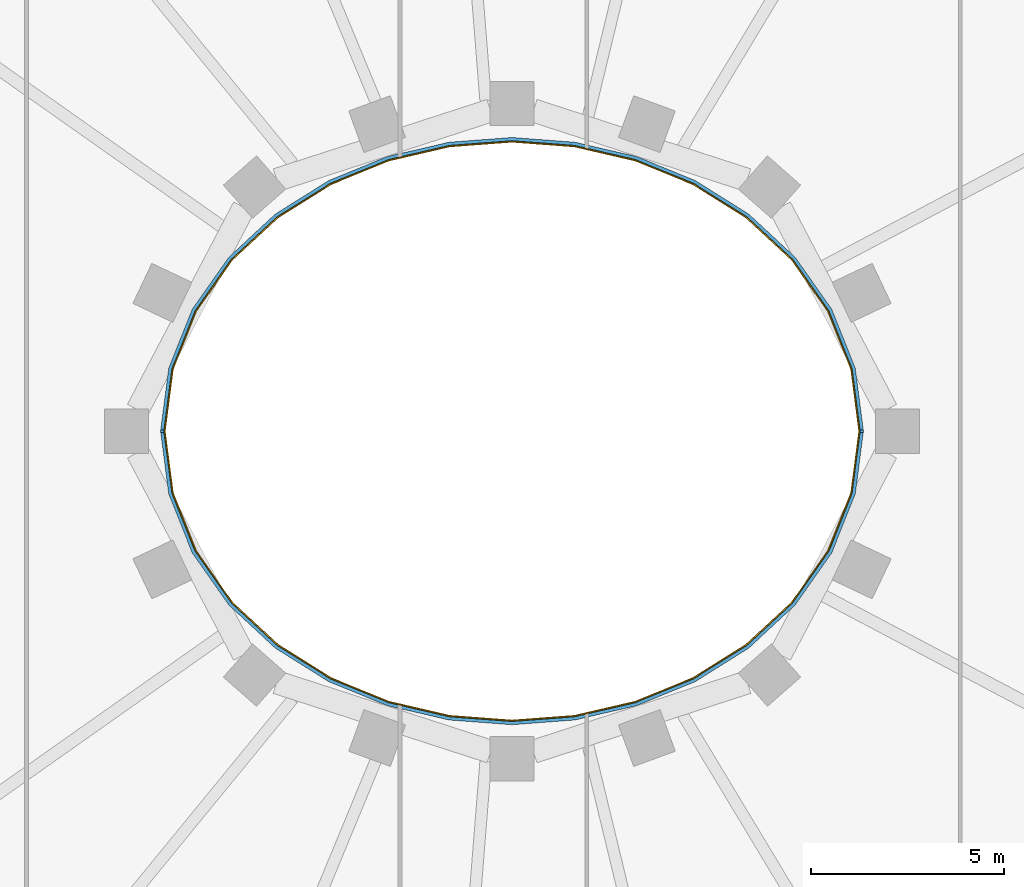
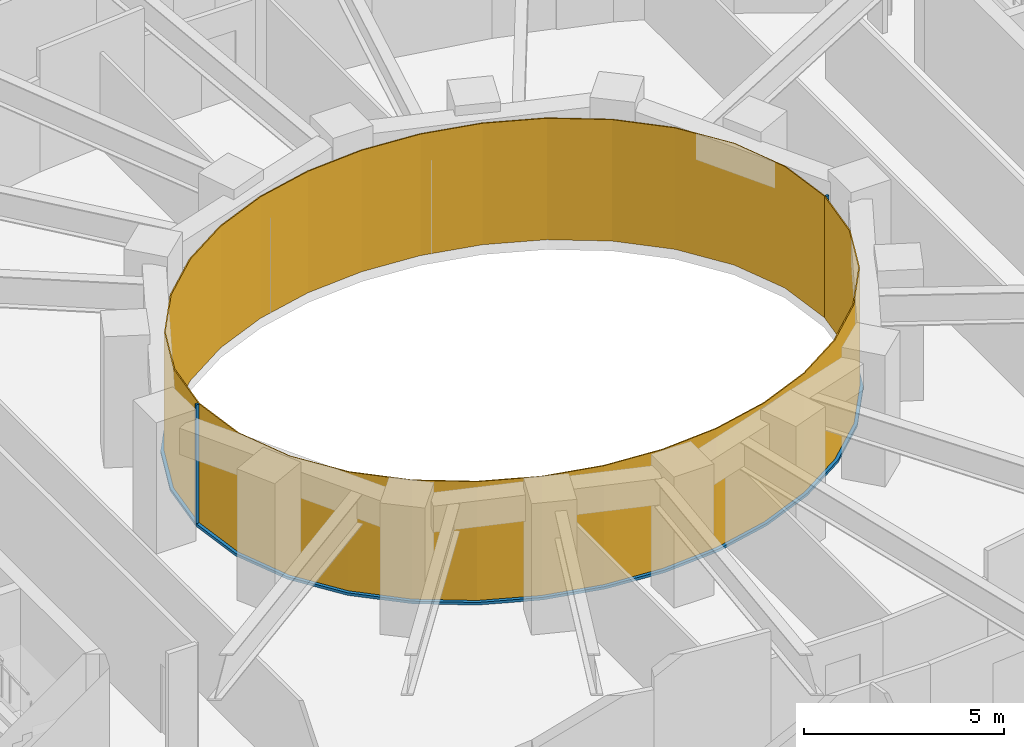
# One storey, part 11 of 16: 4 members, 2 curtain walls.
"""IFC4 building model written with IfcOpenShell, lengths in metres."""

from ifc_helpers import new_model, si_unit, direction, frame, origin, origin_2d, place, context, subcontext, project, spatial, polyline, rectangle, outline, extrude, material, layer, layer_set, material_profile, profile_set, type_object, element, aggregate, save


model = new_model("IFC4")

# Units and contexts
model_context = context("Model", 3, precision=1e-05, world=origin(), true_north=direction((0.0, 1.0)))
body_context = subcontext(model_context, "Body", "Model", "MODEL_VIEW")
ifc_project = project(units=[si_unit("LENGTHUNIT", "METRE"), si_unit("AREAUNIT", "SQUARE_METRE"), si_unit("VOLUMEUNIT", "CUBIC_METRE"), si_unit("PLANEANGLEUNIT", "RADIAN"), si_unit("MASSUNIT", "GRAM", prefix="KILO")], contexts=[model_context])

# Member
ifc_material_1 = material(Name="Steel S355 fire-resisting frame", Category="steel")
ifc_material_profile = material_profile(ifc_material_1, rectangle(XDim=0.090087890625, YDim=0.06005859375, at=origin_2d()), Name="90x60")
ifc_profile_set = profile_set([ifc_material_profile], Name="Steel S355 fire-resisting frame")
member_type_1 = type_object("IfcMemberType", Name="ENV-MULLION-W-90", PredefinedType="MULLION", material=ifc_profile_set)
site_placement = place(None, origin())
building_placement = place(site_placement, origin())
storey_placement = place(building_placement, frame((0.0, 0.0, 116.0)))
member_1_placement = place(storey_placement, frame((9.076904296875, 0.0, 0.0), z_axis=(0.0, 0.0, 1.0), x_axis=(1.0, 0.0, 0.0)))
member_1 = element("IfcMember", 1, at=member_1_placement, type_object=member_type_1, Name="Mullion W well vertex 01", PredefinedType="MULLION", context=body_context, shape_type="SweptSolid", body=[
    extrude(rectangle(XDim=0.090087890625, YDim=0.06005859375, at=origin_2d()), origin(), (0.0, 0.0, 1.0), 3.699951171875),
])

member_2_placement = place(storey_placement, frame((-9.076904296875, 0.0, 0.0), z_axis=(0.0, 0.0, 1.0), x_axis=(-1.0, 0.0, 0.0)))
member_2 = element("IfcMember", 2, at=member_2_placement, type_object=member_type_1, Name="Mullion W well vertex 17", PredefinedType="MULLION", context=body_context, shape_type="SweptSolid", body=[
    extrude(rectangle(XDim=0.090087890625, YDim=0.06005859375, at=origin_2d()), origin(), (0.0, 0.0, 1.0), 3.699951171875),
])

ifc_material_2 = material(Name="Steel S355 fire-resisting frame", Category="steel")
member_type_2 = type_object("IfcMemberType", Name="ENV-TRANSOM-W", PredefinedType="USERDEFINED", material=ifc_material_2)
member_3_placement = place(storey_placement, origin())
member_3 = element("IfcMember", 3, at=member_3_placement, type_object=member_type_2, Name="Transom W well 01-17", ObjectType="TRANSOM", PredefinedType="USERDEFINED", context=body_context, shape_type="SweptSolid", body=[
    extrude(outline(polyline([(9.119384765625, 0.02783203125), (8.910400390625, 1.63623046875), (8.29833984375, 3.167236328125), (7.35107421875, 4.5146484375), (6.1455078125, 5.6337890625), (4.75341796875, 6.50634765625), (3.233642578125, 7.127685546875), (1.635498046875, 7.498779296875), (0.0, 7.622314453125), (-1.635498046875, 7.498779296875), (-3.233642578125, 7.127685546875), (-4.75341796875, 6.50634765625), (-6.1455078125, 5.6337890625), (-7.35107421875, 4.5146484375), (-8.29833984375, 3.167236328125), (-8.910400390625, 1.63623046875), (-9.119384765625, 0.02783203125), (-9.02880859375, 0.02783203125), (-8.822509765625, 1.61328125), (-8.21875, 3.124267578125), (-7.282958984375, 4.455078125), (-6.090576171875, 5.56201171875), (-4.712158203125, 6.426025390625), (-3.206298828125, 7.04150390625), (-1.621826171875, 7.40966796875), (0.0, 7.531982421875), (1.621826171875, 7.40966796875), (3.206298828125, 7.04150390625), (4.712158203125, 6.426025390625), (6.090576171875, 5.56201171875), (7.282958984375, 4.455078125), (8.21875, 3.124267578125), (8.822509765625, 1.61328125), (9.02880859375, 0.02783203125), (9.119384765625, 0.02783203125)])), origin(), (0.0, 0.0, 1.0), 0.080078125),
])

member_4_placement = place(storey_placement, origin())
member_4 = element("IfcMember", 4, at=member_4_placement, type_object=member_type_2, Name="Transom W well 17-01", ObjectType="TRANSOM", PredefinedType="USERDEFINED", context=body_context, shape_type="SweptSolid", body=[
    extrude(outline(polyline([(-9.119384765625, -0.02783203125), (-8.910400390625, -1.63623046875), (-8.29833984375, -3.167236328125), (-7.35107421875, -4.5146484375), (-6.1455078125, -5.6337890625), (-4.75341796875, -6.50634765625), (-3.233642578125, -7.127685546875), (-1.635498046875, -7.498779296875), (0.0, -7.622314453125), (1.635498046875, -7.498779296875), (3.233642578125, -7.127685546875), (4.75341796875, -6.50634765625), (6.1455078125, -5.6337890625), (7.35107421875, -4.5146484375), (8.29833984375, -3.167236328125), (8.910400390625, -1.63623046875), (9.119384765625, -0.02783203125), (9.02880859375, -0.02783203125), (8.822509765625, -1.61328125), (8.21875, -3.124267578125), (7.282958984375, -4.455078125), (6.090576171875, -5.56201171875), (4.712158203125, -6.426025390625), (3.206298828125, -7.04150390625), (1.621826171875, -7.40966796875), (0.0, -7.531982421875), (-1.621826171875, -7.40966796875), (-3.206298828125, -7.04150390625), (-4.712158203125, -6.426025390625), (-6.090576171875, -5.56201171875), (-7.282958984375, -4.455078125), (-8.21875, -3.124267578125), (-8.822509765625, -1.61328125), (-9.02880859375, -0.02783203125), (-9.119384765625, -0.02783203125)])), origin(), (0.0, 0.0, 1.0), 0.080078125),
])

# Site, building, storey
site = spatial("IfcSite", under=ifc_project, at=site_placement, CompositionType="ELEMENT")
building = spatial("IfcBuilding", under=site, at=building_placement, Name="Noorbagh Ring Tower", CompositionType="ELEMENT")
storey = spatial("IfcBuildingStorey", under=building, at=storey_placement, Name="L26", CompositionType="ELEMENT", Elevation=116.0)

# Curtain wall
ifc_material_3 = material(Name="Glass fire-resisting E60 laminated", Category="glass")
ifc_layer = layer(ifc_material_3, 0.031982421875)
ifc_layer_set = layer_set([ifc_layer], Name="Glass fire-resisting E60 laminated")
curtain_wall_type = type_object("IfcCurtainWallType", Name="ENV-CW-W", PredefinedType="NOTDEFINED", material=ifc_layer_set)
curtain_wall_1_placement = place(storey_placement, origin())
curtain_wall_1 = element("IfcCurtainWall", 5, at=curtain_wall_1_placement, inside=storey, type_object=curtain_wall_type, Name="Curtain wall W W01", PredefinedType="NOTDEFINED", context=body_context, shape_type="SweptSolid", body=[
    extrude(outline(polyline([(9.0322265625, 0.0), (8.822509765625, 1.61328125), (8.21875, 3.124267578125), (7.282958984375, 4.455078125), (6.090576171875, 5.56201171875), (4.712158203125, 6.426025390625), (3.206298828125, 7.04150390625), (1.621826171875, 7.40966796875), (0.0, 7.531982421875), (-1.621826171875, 7.40966796875), (-3.206298828125, 7.04150390625), (-4.712158203125, 6.426025390625), (-6.090576171875, 5.56201171875), (-7.282958984375, 4.455078125), (-8.21875, 3.124267578125), (-8.822509765625, 1.61328125), (-9.0322265625, 0.0), (-9.0, 0.0), (-8.79150390625, 1.605224609375), (-8.1904296875, 3.10888671875), (-7.2587890625, 4.43408203125), (-6.071044921875, 5.53662109375), (-4.697509765625, 6.3974609375), (-3.196533203125, 7.010986328125), (-1.6171875, 7.3779296875), (0.0, 7.5), (1.6171875, 7.3779296875), (3.196533203125, 7.010986328125), (4.697509765625, 6.3974609375), (6.071044921875, 5.53662109375), (7.2587890625, 4.43408203125), (8.1904296875, 3.10888671875), (8.79150390625, 1.605224609375), (9.0, 0.0), (9.0322265625, 0.0)])), origin(), (0.0, 0.0, 1.0), 3.699951171875),
])

aggregate(curtain_wall_1, [member_1, member_2, member_3])

curtain_wall_2_placement = place(storey_placement, origin())
curtain_wall_2 = element("IfcCurtainWall", 6, at=curtain_wall_2_placement, inside=storey, type_object=curtain_wall_type, Name="Curtain wall W W17", PredefinedType="NOTDEFINED", context=body_context, shape_type="SweptSolid", body=[
    extrude(outline(polyline([(-9.0322265625, 0.0), (-8.822509765625, -1.61328125), (-8.21875, -3.124267578125), (-7.282958984375, -4.455078125), (-6.090576171875, -5.56201171875), (-4.712158203125, -6.426025390625), (-3.206298828125, -7.04150390625), (-1.621826171875, -7.40966796875), (0.0, -7.531982421875), (1.621826171875, -7.40966796875), (3.206298828125, -7.04150390625), (4.712158203125, -6.426025390625), (6.090576171875, -5.56201171875), (7.282958984375, -4.455078125), (8.21875, -3.124267578125), (8.822509765625, -1.61328125), (9.0322265625, 0.0), (9.0, 0.0), (8.79150390625, -1.605224609375), (8.1904296875, -3.10888671875), (7.2587890625, -4.43408203125), (6.071044921875, -5.53662109375), (4.697509765625, -6.3974609375), (3.196533203125, -7.010986328125), (1.6171875, -7.3779296875), (0.0, -7.5), (-1.6171875, -7.3779296875), (-3.196533203125, -7.010986328125), (-4.697509765625, -6.3974609375), (-6.071044921875, -5.53662109375), (-7.2587890625, -4.43408203125), (-8.1904296875, -3.10888671875), (-8.79150390625, -1.605224609375), (-9.0, 0.0), (-9.0322265625, 0.0)])), origin(), (0.0, 0.0, 1.0), 3.699951171875),
])

aggregate(curtain_wall_2, [member_4])

save(model, "model.ifc")
